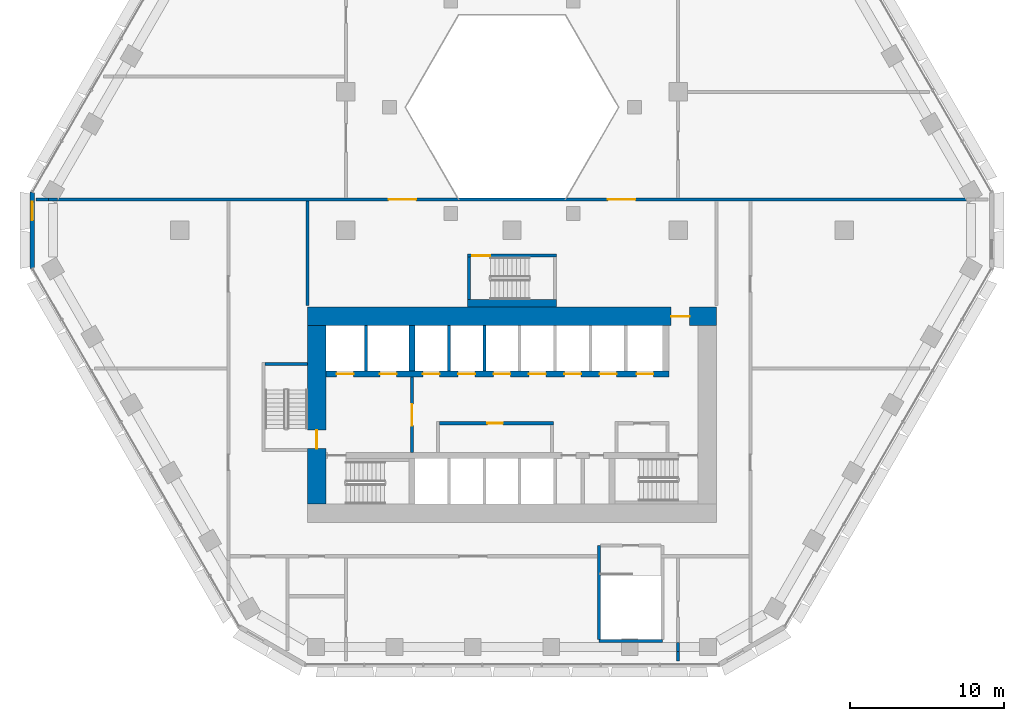
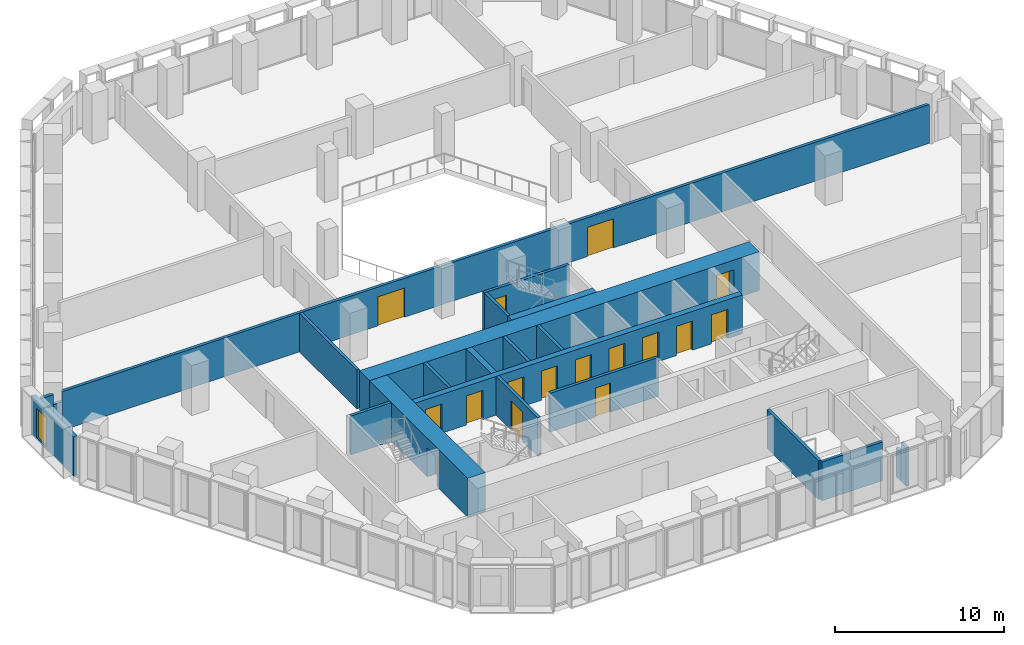
# One storey, part 12 of 21: 22 walls, 16 doors, 1 window, 17 openings.
"""IFC4 building model written with IfcOpenShell, lengths in metres."""

import ifcopenshell
import ifcopenshell.guid

model = None  # the IFC model being written
_history = None  # IfcOwnerHistory: only IFC2X3 demands one
_inside = {}  # id of a spatial element -> (the spatial element, [elements in it])
_under = {}  # id of a project, library or spatial element -> (it, [spatial elements below it])
_declared = {}  # id of a project -> (the project, [libraries it declares])
_typed = {}  # id of a type object -> (the type object, [elements of that type])
_made_of = {}  # id of a material, layer set ... -> (it, [elements and type objects made of it])


def new_model(schema):
    """Start an empty IFC model of exactly this schema.

    Asked for "IFC4X3", IfcOpenShell would pick the latest addendum, in which some entities
    have other attributes; the version numbers below select the first issue.
    IFC2X3 requires an IfcOwnerHistory on every rooted entity: one is made here for all.
    """
    global model, _history
    if schema == "IFC4X3":
        model = ifcopenshell.file(schema_version=(4, 3, 0, 0))
    else:
        model = ifcopenshell.file(schema=schema)
    _inside.clear()
    _under.clear()
    _declared.clear()
    _typed.clear()
    _made_of.clear()
    _history = None
    if model.schema == "IFC2X3":
        org = make("IfcOrganization", Name="unknown")
        user = make(
            "IfcPersonAndOrganization",
            ThePerson=make("IfcPerson", FamilyName="unknown"),
            TheOrganization=org,
        )
        app = make(
            "IfcApplication",
            ApplicationDeveloper=org,
            Version="unknown",
            ApplicationFullName="unknown",
            ApplicationIdentifier="unknown",
        )
        _history = make(
            "IfcOwnerHistory",
            OwningUser=user,
            OwningApplication=app,
            ChangeAction="ADDED",
            CreationDate=0,
        )
    return model


def make(cls, **values):
    """One entity of the class cls with the attributes given. An attribute that is None is left unset."""
    return model.create_entity(
        cls, **{name: value for name, value in values.items() if value is not None}
    )


def rooted(cls, **values):
    """An entity with a GlobalId (a new one), such as an element, a storey or a relation."""
    return make(cls, GlobalId=ifcopenshell.guid.new(), OwnerHistory=_history, **values)


def si_unit(unit_type, name, prefix=None):
    """IfcSIUnit, for example si_unit("LENGTHUNIT", "METRE", prefix="MILLI")."""
    return make("IfcSIUnit", UnitType=unit_type, Prefix=prefix, Name=name)


def assignment(units):
    """IfcUnitAssignment: the units of a project."""
    return None if units is None else make("IfcUnitAssignment", Units=units)


def point(xyz):
    """IfcCartesianPoint."""
    return None if xyz is None else make("IfcCartesianPoint", Coordinates=xyz)


def direction(xyz):
    """IfcDirection."""
    return None if xyz is None else make("IfcDirection", DirectionRatios=xyz)


def frame(location, z_axis=None, x_axis=None):
    """IfcAxis2Placement3D, a coordinate frame: its origin and axes. An axis left out is left unset."""
    return make(
        "IfcAxis2Placement3D",
        Location=point(location),
        Axis=direction(z_axis),
        RefDirection=direction(x_axis),
    )


def frame_2d(location, x_axis=None):
    """IfcAxis2Placement2D, a coordinate frame in the plane: its origin and x axis."""
    return make(
        "IfcAxis2Placement2D", Location=point(location), RefDirection=direction(x_axis)
    )


def origin():
    """The frame at (0, 0, 0) with its axes left unset."""
    return frame((0.0, 0.0, 0.0))


def place(relative_to, where):
    """IfcLocalPlacement: puts the frame where relative to a parent placement (None: the world)."""
    return make(
        "IfcLocalPlacement", PlacementRelTo=relative_to, RelativePlacement=where
    )


def context(
    kind, dimensions, precision=None, world=None, true_north=None, identifier=None
):
    """IfcGeometricRepresentationContext, for example the 3D "Model" context."""
    return make(
        "IfcGeometricRepresentationContext",
        ContextIdentifier=identifier,
        ContextType=kind,
        CoordinateSpaceDimension=dimensions,
        Precision=precision,
        WorldCoordinateSystem=world,
        TrueNorth=true_north,
    )


def subcontext(parent, identifier, kind, view, scale=None):
    """IfcGeometricRepresentationSubContext, for example "Body" below "Model"."""
    return make(
        "IfcGeometricRepresentationSubContext",
        ContextIdentifier=identifier,
        ContextType=kind,
        ParentContext=parent,
        TargetScale=scale,
        TargetView=view,
    )


def project(units=None, contexts=None):
    """IfcProject with its units and contexts."""
    return rooted(
        "IfcProject",
        Name="project",
        RepresentationContexts=contexts,
        UnitsInContext=assignment(units),
    )


def spatial(cls, under=None, at=None, **own):
    """A site, building, storey or space (cls), placed at a placement, below another one or the project."""
    s = rooted(cls, ObjectPlacement=at, **own)
    if under is not None:
        _under.setdefault(under.id(), (under, []))[1].append(s)
    return s


def polyline(points):
    """IfcPolyline through the points."""
    return make("IfcPolyline", Points=[point(p) for p in points])


def profile(cls, at=None, kind="AREA", **sizes):
    """A parametric profile (cls). Its sizes go by their IFC names, for example OverallWidth=200.0."""
    return make(cls, ProfileType=kind, Position=at, **sizes)


def rectangle(**sizes):
    """IfcRectangleProfileDef."""
    return profile("IfcRectangleProfileDef", **sizes)


def outline(outer, holes=None, kind="AREA"):
    """IfcArbitraryClosedProfileDef: a profile drawn as a closed curve; with holes, ...WithVoids."""
    if holes is None:
        return make("IfcArbitraryClosedProfileDef", ProfileType=kind, OuterCurve=outer)
    return make(
        "IfcArbitraryProfileDefWithVoids",
        ProfileType=kind,
        OuterCurve=outer,
        InnerCurves=holes,
    )


def extrude(swept, where, along, depth):
    """IfcExtrudedAreaSolid: the profile swept, set in the frame where, extruded along a direction by depth."""
    return make(
        "IfcExtrudedAreaSolid",
        SweptArea=swept,
        Position=where,
        ExtrudedDirection=direction(along),
        Depth=depth,
    )


def shape(context_of_items, identifier, shape_type, items):
    """IfcShapeRepresentation: the items that make up one representation, for example the "Body"."""
    return make(
        "IfcShapeRepresentation",
        ContextOfItems=context_of_items,
        RepresentationIdentifier=identifier,
        RepresentationType=shape_type,
        Items=items,
    )


def material(Name=None, Category=None):
    """IfcMaterial."""
    return make("IfcMaterial", Name=Name, Category=Category)


def layer(
    of_material, thickness, ventilated=None, Name=None, Category=None, Priority=None
):
    """IfcMaterialLayer: one layer of a wall or slab, of a material (None: an air gap)."""
    return make(
        "IfcMaterialLayer",
        Material=of_material,
        LayerThickness=thickness,
        IsVentilated=ventilated,
        Name=Name,
        Category=Category,
        Priority=Priority,
    )


def layer_set(layers, Name=None):
    """IfcMaterialLayerSet."""
    return make("IfcMaterialLayerSet", MaterialLayers=layers, LayerSetName=Name)


def made_of(thing, what):
    """Note that an element or type object is made of a material, layer set ...; save() writes the relation."""
    if what is not None:
        _made_of.setdefault(what.id(), (what, []))[1].append(thing)
    return thing


def type_object(cls, material=None, **own):
    """A type object (cls), such as IfcWallType, which elements share."""
    return made_of(rooted(cls, **own), material)


def element(
    cls,
    number,
    at=None,
    inside=None,
    cuts=None,
    type_object=None,
    material=None,
    context=None,
    identifier="Body",
    shape_type=None,
    held_by="IfcProductDefinitionShape",
    body=None,
    shapes=None,
    **own,
):
    """One element of the class cls, such as IfcWall. Its Tag is "e" and its number.

    at: its placement. inside: the storey or other place that contains it. cuts: it is an
    opening in that element (IfcRelVoidsElement). A single representation is given by context,
    identifier, shape_type and body (its items); several are given by shapes. held_by: the class
    of the entity that holds the representations. save() writes the other relations.
    """
    e = rooted(cls, Tag="e%d" % number, ObjectPlacement=at, **own)
    if body is not None:
        shapes = [shape(context, identifier, shape_type, body)]
    if shapes is not None:
        e.Representation = make(held_by, Representations=shapes)
    if inside is not None:
        _inside.setdefault(inside.id(), (inside, []))[1].append(e)
    if cuts is not None:
        rooted(
            "IfcRelVoidsElement", RelatingBuildingElement=cuts, RelatedOpeningElement=e
        )
    if type_object is not None:
        _typed.setdefault(type_object.id(), (type_object, []))[1].append(e)
    return made_of(e, material)


def fill(opening, filler):
    """IfcRelFillsElement: the door or window that sits in an opening."""
    return rooted(
        "IfcRelFillsElement",
        RelatingOpeningElement=opening,
        RelatedBuildingElement=filler,
    )


def aggregate(whole, parts):
    """IfcRelAggregates: a whole, such as a stair, and the parts it consists of."""
    return rooted("IfcRelAggregates", RelatingObject=whole, RelatedObjects=parts)


def save(model, path):
    """Write the relations noted so far, then the file.

    IfcRelAggregates (storeys below a building ...), IfcRelContainedInSpatialStructure (elements
    in a storey), IfcRelDefinesByType, IfcRelAssociatesMaterial and IfcRelDeclares: one each for
    every whole, place, type object, material and project.
    """
    for whole, parts in _under.values():
        aggregate(whole, parts)
    for where, things in _inside.values():
        rooted(
            "IfcRelContainedInSpatialStructure",
            RelatedElements=things,
            RelatingStructure=where,
        )
    for kind, things in _typed.values():
        rooted("IfcRelDefinesByType", RelatedObjects=things, RelatingType=kind)
    for what, things in _made_of.values():
        rooted("IfcRelAssociatesMaterial", RelatedObjects=things, RelatingMaterial=what)
    for by, libraries in _declared.values():
        rooted("IfcRelDeclares", RelatingContext=by, RelatedDefinitions=libraries)
    model.write(path)


model = new_model("IFC4")

# Units and contexts
model_context = context("Model", 3, precision=1e-05, world=origin(), true_north=direction((0.0, 1.0)))
body_context = subcontext(model_context, "Body", "Model", "MODEL_VIEW")
ifc_project = project(units=[si_unit("LENGTHUNIT", "METRE"), si_unit("AREAUNIT", "SQUARE_METRE"), si_unit("VOLUMEUNIT", "CUBIC_METRE"), si_unit("PLANEANGLEUNIT", "RADIAN"), si_unit("MASSUNIT", "GRAM", prefix="KILO")], contexts=[model_context])

# Site, building, storey
site_placement = place(None, origin())
site = spatial("IfcSite", under=ifc_project, at=site_placement, CompositionType="ELEMENT")
building_placement = place(site_placement, origin())
building = spatial("IfcBuilding", under=site, at=building_placement, Name="Beryl Residences", CompositionType="ELEMENT")
storey_placement = place(building_placement, frame((0.0, 0.0, 19.800048828125)))
storey = spatial("IfcBuildingStorey", under=building, at=storey_placement, Name="L05", CompositionType="ELEMENT", Elevation=19.800048828125)

# Wall, opening, window
ifc_material_1 = material(Name="Composite metal panel with mineral wool insulation")
ifc_layer_1 = layer(ifc_material_1, 0.300048828125)
ifc_layer_set_1 = layer_set([ifc_layer_1], Name="ES1 pale metal composite panel wall 300 mm")
wall_type_1 = type_object("IfcWallType", Name="ES1 pale metal composite panel wall 300 mm", PredefinedType="SOLIDWALL", material=ifc_layer_set_1)
wall_1_placement = place(storey_placement, frame((-31.199951171875, 2.5, 0.0), z_axis=(0.0, 0.0, 1.0), x_axis=(0.0, -1.0, 0.0)))
wall_1 = element("IfcWall", 1, at=wall_1_placement, inside=storey, type_object=wall_type_1, Name="ES1 external wall L05 NW-SW", PredefinedType="SOLIDWALL", context=body_context, shape_type="SweptSolid", body=[
    extrude(outline(polyline([(0.0, -0.14990234375), (5.0, -0.14990234375), (4.919677734375, 0.14990234375), (0.080322265625, 0.14990234375), (0.0, -0.14990234375)])), origin(), (0.0, 0.0, 1.0), 2.800048828125),
])
opening_1_placement = place(wall_1_placement, frame((0.64990234375, 0.0, 0.14990234375)))
opening_1 = element("IfcOpeningElement", 2, at=opening_1_placement, cuts=wall_1, Name="Opening W2", PredefinedType="OPENING", context=body_context, shape_type="SweptSolid", body=[
    extrude(rectangle(XDim=1.199951171875, YDim=2.10009765625, at=frame_2d((0.60009765625, 1.050048828125))), frame((0.0, 0.159912109375, 0.0), z_axis=(0.0, -1.0, 0.0), x_axis=(1.0, 0.0, 0.0)), (0.0, 0.0, 1.0), 0.320068359375),
])
ifc_material_2 = material(Name="Aluminium and clear glass", Category="aluminium")
window_type = type_object("IfcWindowType", Name="W2 chamfer window 1200 x 2100 mm", PartitioningType="SINGLE_PANEL", PredefinedType="WINDOW", material=ifc_material_2)
window_placement = place(opening_1_placement, origin())
window = element("IfcWindow", 3, at=window_placement, inside=storey, type_object=window_type, Name="W2 window L05 NW-SW 1", OverallHeight=2.10009765625, OverallWidth=1.199951171875, PartitioningType="SINGLE_PANEL", PredefinedType="WINDOW", context=body_context, shape_type="SweptSolid", body=[
    extrude(rectangle(XDim=1.199951171875, YDim=2.10009765625, at=frame_2d((0.60009765625, 1.050048828125))), frame((0.0, 0.030029296875, 0.0), z_axis=(0.0, -1.0, 0.0), x_axis=(1.0, 0.0, 0.0)), (0.0, 0.0, 1.0), 0.06005859375),
])
fill(opening_1, window)

# Wall, opening, door
ifc_material_3 = material(Name="Concrete masonry", Category="masonry")
ifc_layer_2 = layer(ifc_material_3, 0.199951171875)
ifc_layer_set_2 = layer_set([ifc_layer_2], Name="PT13 lobby wall 200 mm")
wall_type_2 = type_object("IfcWallType", Name="PT13 lobby wall 200 mm", PredefinedType="PARTITIONING", material=ifc_layer_set_2)
wall_2_placement = place(storey_placement, frame((-6.5, -14.449951171875, 0.0), z_axis=(0.0, 0.0, 1.0), x_axis=(0.0, 1.0, 0.0)))
wall_2 = element("IfcWall", 4, at=wall_2_placement, inside=storey, type_object=wall_type_2, Name="Lobby wall 06", PredefinedType="PARTITIONING", context=body_context, shape_type="SweptSolid", body=[
    extrude(rectangle(XDim=4.89990234375, YDim=0.199951171875, at=frame_2d((2.449951171875, 0.0))), origin(), (0.0, 0.0, 1.0), 2.800048828125),
])
opening_2_placement = place(wall_2_placement, frame((3.14990234375, 0.0, 0.0), z_axis=(0.0, 0.0, 1.0), x_axis=(-1.0, 0.0, 0.0)))
opening_2 = element("IfcOpeningElement", 5, at=opening_2_placement, cuts=wall_2, Name="Opening FD-FFL", PredefinedType="OPENING", context=body_context, shape_type="SweptSolid", body=[
    extrude(rectangle(XDim=1.39990234375, YDim=2.10009765625, at=frame_2d((0.699951171875, 1.050048828125))), frame((0.0, 0.10986328125, 0.0), z_axis=(0.0, -1.0, 0.0), x_axis=(1.0, 0.0, 0.0)), (0.0, 0.0, 1.0), 0.219970703125),
])
ifc_material_4 = material(Name="Steel door leaf in steel frame", Category="steel")
door_type_1 = type_object("IfcDoorType", Name="D5 lobby door 1400 x 2100 mm", OperationType="DOUBLE_DOOR_SINGLE_SWING", PredefinedType="DOOR", material=ifc_material_4)
door_1_placement = place(opening_2_placement, origin())
door_1 = element("IfcDoor", 6, at=door_1_placement, inside=storey, type_object=door_type_1, Name="Door FD-FFL L05 001", OperationType="DOUBLE_DOOR_SINGLE_SWING", OverallHeight=2.10009765625, OverallWidth=1.39990234375, PredefinedType="DOOR", context=body_context, shape_type="SweptSolid", body=[
    extrude(rectangle(XDim=1.39990234375, YDim=2.10009765625, at=frame_2d((0.699951171875, 1.050048828125))), frame((0.0, 0.02490234375, 0.0), z_axis=(0.0, -1.0, 0.0), x_axis=(1.0, 0.0, 0.0)), (0.0, 0.0, 1.0), 0.050048828125),
])
fill(opening_2, door_1)

wall_3_placement = place(storey_placement, frame((-4.699951171875, -12.550048828125, 0.0), z_axis=(0.0, 0.0, 1.0), x_axis=(1.0, 0.0, 0.0)))
wall_3 = element("IfcWall", 7, at=wall_3_placement, inside=storey, type_object=wall_type_2, Name="Lobby wall 08", PredefinedType="PARTITIONING", context=body_context, shape_type="SweptSolid", body=[
    extrude(rectangle(XDim=7.39990234375, YDim=0.199951171875, at=frame_2d((3.699951171875, 0.0))), origin(), (0.0, 0.0, 1.0), 2.800048828125),
])
opening_3_placement = place(wall_3_placement, frame((4.10009765625, 0.0, 0.0), z_axis=(0.0, 0.0, 1.0), x_axis=(-1.0, 0.0, 0.0)))
opening_3 = element("IfcOpeningElement", 8, at=opening_3_placement, cuts=wall_3, Name="Opening CD-D-A1", PredefinedType="OPENING", context=body_context, shape_type="SweptSolid", body=[
    extrude(rectangle(XDim=1.0, YDim=2.10009765625, at=frame_2d((0.5, 1.050048828125))), frame((0.0, 0.10986328125, 0.0), z_axis=(0.0, -1.0, 0.0), x_axis=(1.0, 0.0, 0.0)), (0.0, 0.0, 1.0), 0.219970703125),
])
ifc_material_5 = material(Name="Steel door leaf in steel frame", Category="steel")
door_type_2 = type_object("IfcDoorType", Name="D18 service room door 1000 x 2100 mm", OperationType="SINGLE_SWING_LEFT", PredefinedType="DOOR", material=ifc_material_5)
door_2_placement = place(opening_3_placement, origin())
door_2 = element("IfcDoor", 9, at=door_2_placement, inside=storey, type_object=door_type_2, Name="Door CD-D-A1 L05 001", OperationType="SINGLE_SWING_RIGHT", OverallHeight=2.10009765625, OverallWidth=1.0, PredefinedType="DOOR", context=body_context, shape_type="SweptSolid", body=[
    extrude(rectangle(XDim=1.0, YDim=2.10009765625, at=frame_2d((0.5, 1.050048828125))), frame((0.0, 0.02490234375, 0.0), z_axis=(0.0, -1.0, 0.0), x_axis=(1.0, 0.0, 0.0)), (0.0, 0.0, 1.0), 0.050048828125),
])
fill(opening_3, door_2)

# Walls
ifc_material_6 = material(Name="Double stud gypsum board wall")
ifc_layer_3 = layer(ifc_material_6, 0.199951171875)
ifc_layer_set_3 = layer_set([ifc_layer_3], Name="PT4 corridor wall 200 mm double stud")
wall_type_3 = type_object("IfcWallType", Name="PT4 corridor wall 200 mm double stud", PredefinedType="PARTITIONING", material=ifc_layer_set_3)
wall_4_placement = place(storey_placement, frame((-30.969970703125, 2.0, 0.0), z_axis=(0.0, 0.0, 1.0), x_axis=(1.0, 0.0, 0.0)))
element("IfcWall", 10, at=wall_4_placement, inside=storey, type_object=wall_type_3, Name="Wall PT4 L05 008", PredefinedType="PARTITIONING", context=body_context, shape_type="SweptSolid", body=[
    extrude(rectangle(XDim=0.821044921875, YDim=0.199951171875, at=frame_2d((0.41064453125, 0.0))), origin(), (0.0, 0.0, 1.0), 2.800048828125),
])
wall_5_placement = place(storey_placement, frame((-30.14892578125, 2.0, 0.0), z_axis=(0.0, 0.0, 1.0), x_axis=(1.0, 0.0, 0.0)))
element("IfcWall", 11, at=wall_5_placement, inside=storey, type_object=wall_type_3, Name="Wall PT4 L05 009", PredefinedType="PARTITIONING", context=body_context, shape_type="SweptSolid", body=[
    extrude(rectangle(XDim=0.599853515625, YDim=0.199951171875, at=frame_2d((0.2998046875, 0.0))), origin(), (0.0, 0.0, 1.0), 2.070068359375),
])

# Wall, openings, doors
wall_6_placement = place(storey_placement, frame((-29.549072265625, 2.0, 0.0), z_axis=(0.0, 0.0, 1.0), x_axis=(1.0, 0.0, 0.0)))
wall_6 = element("IfcWall", 12, at=wall_6_placement, inside=storey, type_object=wall_type_3, Name="Wall PT4 L05 010", PredefinedType="PARTITIONING", context=body_context, shape_type="SweptSolid", body=[
    extrude(rectangle(XDim=59.09716796875, YDim=0.199951171875, at=frame_2d((29.548583984375, 0.0))), origin(), (0.0, 0.0, 1.0), 2.800048828125),
])
opening_4_placement = place(wall_6_placement, frame((21.51708984375, 0.0, 0.0)))
opening_4 = element("IfcOpeningElement", 13, at=opening_4_placement, cuts=wall_6, Name="Opening L05-14", PredefinedType="OPENING", context=body_context, shape_type="SweptSolid", body=[
    extrude(rectangle(XDim=1.800048828125, YDim=2.10009765625, at=frame_2d((0.89990234375, 1.050048828125))), frame((0.0, 0.10986328125, 0.0), z_axis=(0.0, -1.0, 0.0), x_axis=(1.0, 0.0, 0.0)), (0.0, 0.0, 1.0), 0.219970703125),
])
opening_5_placement = place(wall_6_placement, frame((35.781005859375, 0.0, 0.0)))
opening_5 = element("IfcOpeningElement", 14, at=opening_5_placement, cuts=wall_6, Name="Opening L05-15", PredefinedType="OPENING", context=body_context, shape_type="SweptSolid", body=[
    extrude(rectangle(XDim=1.800048828125, YDim=2.10009765625, at=frame_2d((0.89990234375, 1.050048828125))), frame((0.0, 0.10986328125, 0.0), z_axis=(0.0, -1.0, 0.0), x_axis=(1.0, 0.0, 0.0)), (0.0, 0.0, 1.0), 0.219970703125),
])
ifc_material_7 = material(Name="Timber door leaf", Category="wood")
door_type_3 = type_object("IfcDoorType", Name="D20 corridor door 1800 x 2100 mm", OperationType="DOUBLE_DOOR_SINGLE_SWING", PredefinedType="DOOR", material=ifc_material_7)
door_3_placement = place(opening_4_placement, origin())
door_3 = element("IfcDoor", 15, at=door_3_placement, inside=storey, type_object=door_type_3, Name="Door L05-14 L05 001", OperationType="DOUBLE_DOOR_SINGLE_SWING", OverallHeight=2.10009765625, OverallWidth=1.800048828125, PredefinedType="DOOR", context=body_context, shape_type="SweptSolid", body=[
    extrude(rectangle(XDim=1.800048828125, YDim=2.10009765625, at=frame_2d((0.89990234375, 1.050048828125))), frame((0.0, 0.02490234375, 0.0), z_axis=(0.0, -1.0, 0.0), x_axis=(1.0, 0.0, 0.0)), (0.0, 0.0, 1.0), 0.050048828125),
])
fill(opening_4, door_3)
door_4_placement = place(opening_5_placement, origin())
door_4 = element("IfcDoor", 16, at=door_4_placement, inside=storey, type_object=door_type_3, Name="Door L05-15 L05 001", OperationType="DOUBLE_DOOR_SINGLE_SWING", OverallHeight=2.10009765625, OverallWidth=1.800048828125, PredefinedType="DOOR", context=body_context, shape_type="SweptSolid", body=[
    extrude(rectangle(XDim=1.800048828125, YDim=2.10009765625, at=frame_2d((0.89990234375, 1.050048828125))), frame((0.0, 0.02490234375, 0.0), z_axis=(0.0, -1.0, 0.0), x_axis=(1.0, 0.0, 0.0)), (0.0, 0.0, 1.0), 0.050048828125),
])
fill(opening_5, door_4)

# Wall
wall_7_placement = place(storey_placement, frame((-13.300048828125, -4.8798828125, 0.0), z_axis=(0.0, 0.0, 1.0), x_axis=(0.0, 1.0, 0.0)))
element("IfcWall", 17, at=wall_7_placement, inside=storey, type_object=wall_type_3, Name="Wall PT4 L05 026", PredefinedType="PARTITIONING", context=body_context, shape_type="SweptSolid", body=[
    extrude(rectangle(XDim=6.77978515625, YDim=0.199951171875, at=frame_2d((3.389892578125, 0.0))), origin(), (0.0, 0.0, 1.0), 2.800048828125),
])

# Wall, opening, door
ifc_material_8 = material(Name="Concrete C40/50", Category="concrete")
ifc_layer_4 = layer(ifc_material_8, 0.199951171875)
ifc_layer_set_4 = layer_set([ifc_layer_4], Name="PT5 stair enclosure wall 200 mm reinforced concrete C40/50")
wall_type_4 = type_object("IfcWallType", Name="PT5 stair enclosure wall 200 mm reinforced concrete C40/50", PredefinedType="SOLIDWALL", material=ifc_layer_set_4)
wall_8_placement = place(storey_placement, frame((-2.89990234375, -1.64990234375, 0.0), z_axis=(0.0, 0.0, 1.0), x_axis=(1.0, 0.0, 0.0)))
wall_8 = element("IfcWall", 18, at=wall_8_placement, inside=storey, type_object=wall_type_4, Name="Wall PT5 L05 001", PredefinedType="SOLIDWALL", context=body_context, shape_type="SweptSolid", body=[
    extrude(rectangle(XDim=5.7998046875, YDim=0.199951171875, at=frame_2d((2.89990234375, 0.0))), origin(), (0.0, 0.0, 1.0), 2.800048828125),
])
opening_6_placement = place(wall_8_placement, frame((0.300048828125, 0.0, 0.0)))
opening_6 = element("IfcOpeningElement", 19, at=opening_6_placement, cuts=wall_8, Name="Opening DS04", PredefinedType="OPENING", context=body_context, shape_type="SweptSolid", body=[
    extrude(rectangle(XDim=1.199951171875, YDim=2.10009765625, at=frame_2d((0.60009765625, 1.050048828125))), frame((0.0, 0.10986328125, 0.0), z_axis=(0.0, -1.0, 0.0), x_axis=(1.0, 0.0, 0.0)), (0.0, 0.0, 1.0), 0.219970703125),
])
ifc_material_9 = material(Name="Steel door leaf in steel frame", Category="steel")
door_type_4 = type_object("IfcDoorType", Name="D4 stair door 1200 x 2100 mm", OperationType="SINGLE_SWING_LEFT", PredefinedType="DOOR", material=ifc_material_9)
door_5_placement = place(opening_6_placement, origin())
door_5 = element("IfcDoor", 20, at=door_5_placement, inside=storey, type_object=door_type_4, Name="Door DS04 L05 001", OperationType="SINGLE_SWING_LEFT", OverallHeight=2.10009765625, OverallWidth=1.199951171875, PredefinedType="DOOR", context=body_context, shape_type="SweptSolid", body=[
    extrude(rectangle(XDim=1.199951171875, YDim=2.10009765625, at=frame_2d((0.60009765625, 1.050048828125))), frame((0.0, 0.02490234375, 0.0), z_axis=(0.0, -1.0, 0.0), x_axis=(1.0, 0.0, 0.0)), (0.0, 0.0, 1.0), 0.050048828125),
])
fill(opening_6, door_5)

# Walls
wall_9_placement = place(storey_placement, frame((-2.800048828125, -4.5, 0.0), z_axis=(0.0, 0.0, 1.0), x_axis=(0.0, 1.0, 0.0)))
element("IfcWall", 21, at=wall_9_placement, inside=storey, type_object=wall_type_4, Name="Wall PT5 L05 002", PredefinedType="SOLIDWALL", context=body_context, shape_type="SweptSolid", body=[
    extrude(rectangle(XDim=2.75, YDim=0.199951171875, at=frame_2d((1.375, 0.0))), origin(), (0.0, 0.0, 1.0), 2.800048828125),
])
wall_10_placement = place(storey_placement, frame((5.64990234375, -26.699951171875, 0.0), z_axis=(0.0, 0.0, 1.0), x_axis=(1.0, 0.0, 0.0)))
element("IfcWall", 22, at=wall_10_placement, inside=storey, type_object=wall_type_4, Name="Wall PT5 L05 004", PredefinedType="SOLIDWALL", context=body_context, shape_type="SweptSolid", body=[
    extrude(rectangle(XDim=4.150146484375, YDim=0.199951171875, at=frame_2d((2.0751953125, 0.0))), origin(), (0.0, 0.0, 1.0), 2.800048828125),
])
wall_11_placement = place(storey_placement, frame((5.64990234375, -26.60009765625, 0.0), z_axis=(0.0, 0.0, 1.0), x_axis=(0.0, 1.0, 0.0)))
element("IfcWall", 23, at=wall_11_placement, inside=storey, type_object=wall_type_4, Name="Wall PT5 L05 006", PredefinedType="SOLIDWALL", context=body_context, shape_type="SweptSolid", body=[
    extrude(rectangle(XDim=6.10009765625, YDim=0.199951171875, at=frame_2d((3.050048828125, 0.0))), origin(), (0.0, 0.0, 1.0), 2.800048828125),
])
wall_12_placement = place(storey_placement, frame((-16.050048828125, -8.699951171875, 0.0), z_axis=(0.0, 0.0, 1.0), x_axis=(1.0, 0.0, 0.0)))
element("IfcWall", 24, at=wall_12_placement, inside=storey, type_object=wall_type_4, Name="Stair wall 03", PredefinedType="SOLIDWALL", context=body_context, shape_type="SweptSolid", body=[
    extrude(rectangle(XDim=2.75, YDim=0.199951171875, at=frame_2d((1.375, 0.0))), origin(), (0.0, 0.0, 1.0), 2.800048828125),
])
ifc_material_10 = material(Name="Concrete C40/50", Category="concrete")
ifc_layer_5 = layer(ifc_material_10, 0.5)
ifc_layer_set_5 = layer_set([ifc_layer_5], Name="PT5-500 stair enclosure wall 500 mm")
wall_type_5 = type_object("IfcWallType", Name="PT5-500 stair enclosure wall 500 mm", PredefinedType="SOLIDWALL", material=ifc_layer_set_5)
wall_13_placement = place(storey_placement, frame((-2.89990234375, -4.75, 0.0), z_axis=(0.0, 0.0, 1.0), x_axis=(1.0, 0.0, 0.0)))
element("IfcWall", 25, at=wall_13_placement, inside=storey, type_object=wall_type_5, Name="Wall PT5-500 L05 001", PredefinedType="SOLIDWALL", context=body_context, shape_type="SweptSolid", body=[
    extrude(rectangle(XDim=5.7998046875, YDim=0.5, at=frame_2d((2.89990234375, 0.0))), origin(), (0.0, 0.0, 1.0), 2.800048828125),
])
ifc_material_11 = material(Name="Concrete C40/50", Category="concrete")
ifc_layer_6 = layer(ifc_material_11, 0.199951171875)
ifc_layer_set_6 = layer_set([ifc_layer_6], Name="PT6 lift shaft wall 200 mm reinforced concrete C40/50")
wall_type_6 = type_object("IfcWallType", Name="PT6 lift shaft wall 200 mm reinforced concrete C40/50", PredefinedType="SOLIDWALL", material=ifc_layer_set_6)
for number, where, z_axis, x_axis, name in (
    (26, (-9.5, -9.14990234375, 0.0), (0.0, 0.0, 1.0), (0.0, 1.0, 0.0), "Lift shaft wall 05"),
    (27, (-4.10009765625, -9.14990234375, 0.0), (0.0, 0.0, 1.0), (0.0, 1.0, 0.0), "Lift shaft wall 10"),
    (28, (-1.800048828125, -9.14990234375, 0.0), (0.0, 0.0, 1.0), (0.0, 1.0, 0.0), "Lift shaft wall 12"),
):
    element("IfcWall", number, at=place(storey_placement, frame(where, z_axis=z_axis, x_axis=x_axis)), inside=storey, type_object=wall_type_6, Name=name, PredefinedType="SOLIDWALL", context=body_context, shape_type="SweptSolid", body=[
        extrude(rectangle(XDim=2.949951171875, YDim=0.199951171875, at=frame_2d((1.47509765625, 0.0))), origin(), (0.0, 0.0, 1.0), 2.800048828125),
    ])
ifc_material_12 = material(Name="Concrete masonry", Category="masonry")
ifc_layer_7 = layer(ifc_material_12, 0.199951171875)
ifc_layer_set_7 = layer_set([ifc_layer_7], Name="PT8-200 service room wall 200 mm")
wall_type_7 = type_object("IfcWallType", Name="PT8-200 service room wall 200 mm", PredefinedType="PARTITIONING", material=ifc_layer_set_7)
wall_14_placement = place(storey_placement, frame((10.800048828125, -28.02001953125, 0.0), z_axis=(0.0, 0.0, 1.0), x_axis=(0.0, 1.0, 0.0)))
element("IfcWall", 29, at=wall_14_placement, inside=storey, type_object=wall_type_7, Name="Wall PT8-200 L05 009", PredefinedType="PARTITIONING", context=body_context, shape_type="SweptSolid", body=[
    extrude(rectangle(XDim=0.6201171875, YDim=0.199951171875, at=frame_2d((0.31005859375, 0.0))), origin(), (0.0, 0.0, 1.0), 2.800048828125),
])
wall_15_placement = place(storey_placement, frame((10.800048828125, -27.39990234375, 0.0), z_axis=(0.0, 0.0, 1.0), x_axis=(0.0, 1.0, 0.0)))
element("IfcWall", 30, at=wall_15_placement, inside=storey, type_object=wall_type_7, Name="Wall PT8-200 L05 010", PredefinedType="PARTITIONING", context=body_context, shape_type="SweptSolid", body=[
    extrude(rectangle(XDim=0.599853515625, YDim=0.199951171875, at=frame_2d((0.2998046875, 0.0))), origin(), (0.0, 0.0, 1.0), 2.070068359375),
])

# Wall, opening, door
ifc_material_13 = material(Name="Concrete C80/95", Category="concrete")
ifc_layer_8 = layer(ifc_material_13, 1.199951171875)
ifc_layer_set_8 = layer_set([ifc_layer_8], Name="SW1 core outer wall 1200 mm C80/95")
wall_type_8 = type_object("IfcWallType", Name="SW1 core outer wall 1200 mm C80/95", PredefinedType="SHEAR", material=ifc_layer_set_8)
wall_16_placement = place(storey_placement, frame((-13.300048828125, -5.60009765625, 0.0), z_axis=(0.0, 0.0, 1.0), x_axis=(1.0, 0.0, 0.0)))
wall_16 = element("IfcWall", 31, at=wall_16_placement, inside=storey, type_object=wall_type_8, Name="Core wall N L05", PredefinedType="SHEAR", context=body_context, shape_type="SweptSolid", body=[
    extrude(rectangle(XDim=26.60009765625, YDim=1.199951171875, at=frame_2d((13.300048828125, 0.0))), origin(), (0.0, 0.0, 1.0), 2.800048828125),
])
opening_7_placement = place(wall_16_placement, frame((23.64990234375, 0.0, 0.0)))
opening_7 = element("IfcOpeningElement", 32, at=opening_7_placement, cuts=wall_16, Name="Opening FD-NORTH", PredefinedType="OPENING", context=body_context, shape_type="SweptSolid", body=[
    extrude(rectangle(XDim=1.199951171875, YDim=2.10009765625, at=frame_2d((0.60009765625, 1.050048828125))), frame((0.0, 0.60986328125, 0.0), z_axis=(0.0, -1.0, 0.0), x_axis=(1.0, 0.0, 0.0)), (0.0, 0.0, 1.0), 1.219970703125),
])
ifc_material_14 = material(Name="Steel door leaf in steel frame", Category="steel")
door_type_5 = type_object("IfcDoorType", Name="D22 lobby door 1200 x 2100 mm", OperationType="DOUBLE_DOOR_SINGLE_SWING", PredefinedType="DOOR", material=ifc_material_14)
door_6_placement = place(opening_7_placement, origin())
door_6 = element("IfcDoor", 33, at=door_6_placement, inside=storey, type_object=door_type_5, Name="Door FD-NORTH L05 001", OperationType="DOUBLE_DOOR_SINGLE_SWING", OverallHeight=2.10009765625, OverallWidth=1.199951171875, PredefinedType="DOOR", context=body_context, shape_type="SweptSolid", body=[
    extrude(rectangle(XDim=1.199951171875, YDim=2.10009765625, at=frame_2d((0.60009765625, 1.050048828125))), frame((0.0, 0.02490234375, 0.0), z_axis=(0.0, -1.0, 0.0), x_axis=(1.0, 0.0, 0.0)), (0.0, 0.0, 1.0), 0.050048828125),
])
fill(opening_7, door_6)

wall_17_placement = place(storey_placement, frame((-12.699951171875, -17.800048828125, 0.0), z_axis=(0.0, 0.0, 1.0), x_axis=(0.0, 1.0, 0.0)))
wall_17 = element("IfcWall", 34, at=wall_17_placement, inside=storey, type_object=wall_type_8, Name="Core wall W L05", PredefinedType="SHEAR", context=body_context, shape_type="SweptSolid", body=[
    extrude(rectangle(XDim=11.60009765625, YDim=1.199951171875, at=frame_2d((5.800048828125, 0.0))), origin(), (0.0, 0.0, 1.0), 2.800048828125),
])
opening_8_placement = place(wall_17_placement, frame((3.60009765625, 0.0, 0.0)))
opening_8 = element("IfcOpeningElement", 35, at=opening_8_placement, cuts=wall_17, Name="Opening SD-2", PredefinedType="OPENING", context=body_context, shape_type="SweptSolid", body=[
    extrude(rectangle(XDim=1.199951171875, YDim=2.10009765625, at=frame_2d((0.60009765625, 1.050048828125))), frame((0.0, 0.60986328125, 0.0), z_axis=(0.0, -1.0, 0.0), x_axis=(1.0, 0.0, 0.0)), (0.0, 0.0, 1.0), 1.219970703125),
])
door_7_placement = place(opening_8_placement, origin())
door_7 = element("IfcDoor", 36, at=door_7_placement, inside=storey, type_object=door_type_4, Name="Door SD-2 L05 001", OperationType="SINGLE_SWING_RIGHT", OverallHeight=2.10009765625, OverallWidth=1.199951171875, PredefinedType="DOOR", context=body_context, shape_type="SweptSolid", body=[
    extrude(rectangle(XDim=1.199951171875, YDim=2.10009765625, at=frame_2d((0.60009765625, 1.050048828125))), frame((0.0, 0.02490234375, 0.0), z_axis=(0.0, -1.0, 0.0), x_axis=(1.0, 0.0, 0.0)), (0.0, 0.0, 1.0), 0.050048828125),
])
fill(opening_8, door_7)

# Wall, openings, doors
ifc_material_15 = material(Name="Concrete C80/95", Category="concrete")
ifc_layer_9 = layer(ifc_material_15, 0.39990234375)
ifc_layer_set_9 = layer_set([ifc_layer_9], Name="SW6 core internal wall 400 mm C80/95")
wall_type_9 = type_object("IfcWallType", Name="SW6 core internal wall 400 mm C80/95", PredefinedType="SHEAR", material=ifc_layer_set_9)
wall_18_placement = place(storey_placement, frame((-12.10009765625, -9.35009765625, 0.0), z_axis=(0.0, 0.0, 1.0), x_axis=(1.0, 0.0, 0.0)))
wall_18 = element("IfcWall", 37, at=wall_18_placement, inside=storey, type_object=wall_type_9, Name="Core wall SP2 L05", PredefinedType="SHEAR", context=body_context, shape_type="SweptSolid", body=[
    extrude(rectangle(XDim=22.300048828125, YDim=0.39990234375, at=frame_2d((11.14990234375, 0.0))), origin(), (0.0, 0.0, 1.0), 2.800048828125),
])
opening_9_placement = place(wall_18_placement, frame((0.699951171875, 0.0, 0.0)))
opening_9 = element("IfcOpeningElement", 38, at=opening_9_placement, cuts=wall_18, Name="Opening LD-FF1", PredefinedType="OPENING", context=body_context, shape_type="SweptSolid", body=[
    extrude(rectangle(XDim=1.10009765625, YDim=2.10009765625, at=frame_2d((0.550048828125, 1.050048828125))), frame((0.0, 0.2099609375, 0.0), z_axis=(0.0, -1.0, 0.0), x_axis=(1.0, 0.0, 0.0)), (0.0, 0.0, 1.0), 0.419921875),
])
opening_10_placement = place(wall_18_placement, frame((3.5, 0.0, 0.0)))
opening_10 = element("IfcOpeningElement", 39, at=opening_10_placement, cuts=wall_18, Name="Opening LD-FF2", PredefinedType="OPENING", context=body_context, shape_type="SweptSolid", body=[
    extrude(rectangle(XDim=1.10009765625, YDim=2.10009765625, at=frame_2d((0.550048828125, 1.050048828125))), frame((0.0, 0.2099609375, 0.0), z_axis=(0.0, -1.0, 0.0), x_axis=(1.0, 0.0, 0.0)), (0.0, 0.0, 1.0), 0.419921875),
])
opening_11_placement = place(wall_18_placement, frame((6.300048828125, 0.0, 0.0)))
opening_11 = element("IfcOpeningElement", 40, at=opening_11_placement, cuts=wall_18, Name="Opening LD-LR1", PredefinedType="OPENING", context=body_context, shape_type="SweptSolid", body=[
    extrude(rectangle(XDim=1.10009765625, YDim=2.10009765625, at=frame_2d((0.550048828125, 1.050048828125))), frame((0.0, 0.2099609375, 0.0), z_axis=(0.0, -1.0, 0.0), x_axis=(1.0, 0.0, 0.0)), (0.0, 0.0, 1.0), 0.419921875),
])
opening_12_placement = place(wall_18_placement, frame((8.60009765625, 0.0, 0.0)))
opening_12 = element("IfcOpeningElement", 41, at=opening_12_placement, cuts=wall_18, Name="Opening LD-LR2", PredefinedType="OPENING", context=body_context, shape_type="SweptSolid", body=[
    extrude(rectangle(XDim=1.10009765625, YDim=2.10009765625, at=frame_2d((0.550048828125, 1.050048828125))), frame((0.0, 0.2099609375, 0.0), z_axis=(0.0, -1.0, 0.0), x_axis=(1.0, 0.0, 0.0)), (0.0, 0.0, 1.0), 0.419921875),
])
opening_13_placement = place(wall_18_placement, frame((10.89990234375, 0.0, 0.0)))
opening_13 = element("IfcOpeningElement", 42, at=opening_13_placement, cuts=wall_18, Name="Opening LD-LR3", PredefinedType="OPENING", context=body_context, shape_type="SweptSolid", body=[
    extrude(rectangle(XDim=1.10009765625, YDim=2.10009765625, at=frame_2d((0.550048828125, 1.050048828125))), frame((0.0, 0.2099609375, 0.0), z_axis=(0.0, -1.0, 0.0), x_axis=(1.0, 0.0, 0.0)), (0.0, 0.0, 1.0), 0.419921875),
])
opening_14_placement = place(wall_18_placement, frame((13.199951171875, 0.0, 0.0)))
opening_14 = element("IfcOpeningElement", 43, at=opening_14_placement, cuts=wall_18, Name="Opening LD-LR4", PredefinedType="OPENING", context=body_context, shape_type="SweptSolid", body=[
    extrude(rectangle(XDim=1.10009765625, YDim=2.10009765625, at=frame_2d((0.550048828125, 1.050048828125))), frame((0.0, 0.2099609375, 0.0), z_axis=(0.0, -1.0, 0.0), x_axis=(1.0, 0.0, 0.0)), (0.0, 0.0, 1.0), 0.419921875),
])
opening_15_placement = place(wall_18_placement, frame((15.5, 0.0, 0.0)))
opening_15 = element("IfcOpeningElement", 44, at=opening_15_placement, cuts=wall_18, Name="Opening LD-LR5", PredefinedType="OPENING", context=body_context, shape_type="SweptSolid", body=[
    extrude(rectangle(XDim=1.10009765625, YDim=2.10009765625, at=frame_2d((0.550048828125, 1.050048828125))), frame((0.0, 0.2099609375, 0.0), z_axis=(0.0, -1.0, 0.0), x_axis=(1.0, 0.0, 0.0)), (0.0, 0.0, 1.0), 0.419921875),
])
opening_16_placement = place(wall_18_placement, frame((17.800048828125, 0.0, 0.0)))
opening_16 = element("IfcOpeningElement", 45, at=opening_16_placement, cuts=wall_18, Name="Opening LD-LR6", PredefinedType="OPENING", context=body_context, shape_type="SweptSolid", body=[
    extrude(rectangle(XDim=1.10009765625, YDim=2.10009765625, at=frame_2d((0.550048828125, 1.050048828125))), frame((0.0, 0.2099609375, 0.0), z_axis=(0.0, -1.0, 0.0), x_axis=(1.0, 0.0, 0.0)), (0.0, 0.0, 1.0), 0.419921875),
])
opening_17_placement = place(wall_18_placement, frame((20.199951171875, 0.0, 0.0)))
opening_17 = element("IfcOpeningElement", 46, at=opening_17_placement, cuts=wall_18, Name="Opening LD-SL1", PredefinedType="OPENING", context=body_context, shape_type="SweptSolid", body=[
    extrude(rectangle(XDim=1.10009765625, YDim=2.10009765625, at=frame_2d((0.550048828125, 1.050048828125))), frame((0.0, 0.2099609375, 0.0), z_axis=(0.0, -1.0, 0.0), x_axis=(1.0, 0.0, 0.0)), (0.0, 0.0, 1.0), 0.419921875),
])
ifc_material_16 = material(Name="Stainless steel sliding door", Category="steel")
door_type_6 = type_object("IfcDoorType", Name="LD1 lift landing door 1100 x 2100 mm", OperationType="DOUBLE_DOOR_SLIDING", PredefinedType="DOOR", material=ifc_material_16)
door_8_placement = place(opening_9_placement, origin())
door_8 = element("IfcDoor", 47, at=door_8_placement, inside=storey, type_object=door_type_6, Name="Lift landing door FF1", OperationType="DOUBLE_DOOR_SLIDING", OverallHeight=2.10009765625, OverallWidth=1.10009765625, PredefinedType="DOOR", context=body_context, shape_type="SweptSolid", body=[
    extrude(rectangle(XDim=1.10009765625, YDim=2.10009765625, at=frame_2d((0.550048828125, 1.050048828125))), frame((0.0, 0.02490234375, 0.0), z_axis=(0.0, -1.0, 0.0), x_axis=(1.0, 0.0, 0.0)), (0.0, 0.0, 1.0), 0.050048828125),
])
fill(opening_9, door_8)
door_9_placement = place(opening_10_placement, origin())
door_9 = element("IfcDoor", 48, at=door_9_placement, inside=storey, type_object=door_type_6, Name="Lift landing door FF2", OperationType="DOUBLE_DOOR_SLIDING", OverallHeight=2.10009765625, OverallWidth=1.10009765625, PredefinedType="DOOR", context=body_context, shape_type="SweptSolid", body=[
    extrude(rectangle(XDim=1.10009765625, YDim=2.10009765625, at=frame_2d((0.550048828125, 1.050048828125))), frame((0.0, 0.02490234375, 0.0), z_axis=(0.0, -1.0, 0.0), x_axis=(1.0, 0.0, 0.0)), (0.0, 0.0, 1.0), 0.050048828125),
])
fill(opening_10, door_9)
door_10_placement = place(opening_11_placement, origin())
door_10 = element("IfcDoor", 49, at=door_10_placement, inside=storey, type_object=door_type_6, Name="Lift landing door LR1", OperationType="DOUBLE_DOOR_SLIDING", OverallHeight=2.10009765625, OverallWidth=1.10009765625, PredefinedType="DOOR", context=body_context, shape_type="SweptSolid", body=[
    extrude(rectangle(XDim=1.10009765625, YDim=2.10009765625, at=frame_2d((0.550048828125, 1.050048828125))), frame((0.0, 0.02490234375, 0.0), z_axis=(0.0, -1.0, 0.0), x_axis=(1.0, 0.0, 0.0)), (0.0, 0.0, 1.0), 0.050048828125),
])
fill(opening_11, door_10)
door_11_placement = place(opening_12_placement, origin())
door_11 = element("IfcDoor", 50, at=door_11_placement, inside=storey, type_object=door_type_6, Name="Lift landing door LR2", OperationType="DOUBLE_DOOR_SLIDING", OverallHeight=2.10009765625, OverallWidth=1.10009765625, PredefinedType="DOOR", context=body_context, shape_type="SweptSolid", body=[
    extrude(rectangle(XDim=1.10009765625, YDim=2.10009765625, at=frame_2d((0.550048828125, 1.050048828125))), frame((0.0, 0.02490234375, 0.0), z_axis=(0.0, -1.0, 0.0), x_axis=(1.0, 0.0, 0.0)), (0.0, 0.0, 1.0), 0.050048828125),
])
fill(opening_12, door_11)
door_12_placement = place(opening_13_placement, origin())
door_12 = element("IfcDoor", 51, at=door_12_placement, inside=storey, type_object=door_type_6, Name="Lift landing door LR3", OperationType="DOUBLE_DOOR_SLIDING", OverallHeight=2.10009765625, OverallWidth=1.10009765625, PredefinedType="DOOR", context=body_context, shape_type="SweptSolid", body=[
    extrude(rectangle(XDim=1.10009765625, YDim=2.10009765625, at=frame_2d((0.550048828125, 1.050048828125))), frame((0.0, 0.02490234375, 0.0), z_axis=(0.0, -1.0, 0.0), x_axis=(1.0, 0.0, 0.0)), (0.0, 0.0, 1.0), 0.050048828125),
])
fill(opening_13, door_12)
door_13_placement = place(opening_14_placement, origin())
door_13 = element("IfcDoor", 52, at=door_13_placement, inside=storey, type_object=door_type_6, Name="Lift landing door LR4", OperationType="DOUBLE_DOOR_SLIDING", OverallHeight=2.10009765625, OverallWidth=1.10009765625, PredefinedType="DOOR", context=body_context, shape_type="SweptSolid", body=[
    extrude(rectangle(XDim=1.10009765625, YDim=2.10009765625, at=frame_2d((0.550048828125, 1.050048828125))), frame((0.0, 0.02490234375, 0.0), z_axis=(0.0, -1.0, 0.0), x_axis=(1.0, 0.0, 0.0)), (0.0, 0.0, 1.0), 0.050048828125),
])
fill(opening_14, door_13)
door_14_placement = place(opening_15_placement, origin())
door_14 = element("IfcDoor", 53, at=door_14_placement, inside=storey, type_object=door_type_6, Name="Lift landing door LR5", OperationType="DOUBLE_DOOR_SLIDING", OverallHeight=2.10009765625, OverallWidth=1.10009765625, PredefinedType="DOOR", context=body_context, shape_type="SweptSolid", body=[
    extrude(rectangle(XDim=1.10009765625, YDim=2.10009765625, at=frame_2d((0.550048828125, 1.050048828125))), frame((0.0, 0.02490234375, 0.0), z_axis=(0.0, -1.0, 0.0), x_axis=(1.0, 0.0, 0.0)), (0.0, 0.0, 1.0), 0.050048828125),
])
fill(opening_15, door_14)
door_15_placement = place(opening_16_placement, origin())
door_15 = element("IfcDoor", 54, at=door_15_placement, inside=storey, type_object=door_type_6, Name="Lift landing door LR6", OperationType="DOUBLE_DOOR_SLIDING", OverallHeight=2.10009765625, OverallWidth=1.10009765625, PredefinedType="DOOR", context=body_context, shape_type="SweptSolid", body=[
    extrude(rectangle(XDim=1.10009765625, YDim=2.10009765625, at=frame_2d((0.550048828125, 1.050048828125))), frame((0.0, 0.02490234375, 0.0), z_axis=(0.0, -1.0, 0.0), x_axis=(1.0, 0.0, 0.0)), (0.0, 0.0, 1.0), 0.050048828125),
])
fill(opening_16, door_15)
door_16_placement = place(opening_17_placement, origin())
door_16 = element("IfcDoor", 55, at=door_16_placement, inside=storey, type_object=door_type_6, Name="Lift landing door SL1", OperationType="DOUBLE_DOOR_SLIDING", OverallHeight=2.10009765625, OverallWidth=1.10009765625, PredefinedType="DOOR", context=body_context, shape_type="SweptSolid", body=[
    extrude(rectangle(XDim=1.10009765625, YDim=2.10009765625, at=frame_2d((0.550048828125, 1.050048828125))), frame((0.0, 0.02490234375, 0.0), z_axis=(0.0, -1.0, 0.0), x_axis=(1.0, 0.0, 0.0)), (0.0, 0.0, 1.0), 0.050048828125),
])
fill(opening_17, door_16)

# Wall
wall_19_placement = place(storey_placement, frame((-6.5, -9.14990234375, 0.0), z_axis=(0.0, 0.0, 1.0), x_axis=(0.0, 1.0, 0.0)))
element("IfcWall", 56, at=wall_19_placement, inside=storey, type_object=wall_type_9, Name="Core wall XN1 L05", PredefinedType="SHEAR", context=body_context, shape_type="SweptSolid", body=[
    extrude(rectangle(XDim=2.949951171875, YDim=0.39990234375, at=frame_2d((1.47509765625, 0.0))), origin(), (0.0, 0.0, 1.0), 2.800048828125),
])

save(model, "model.ifc")
